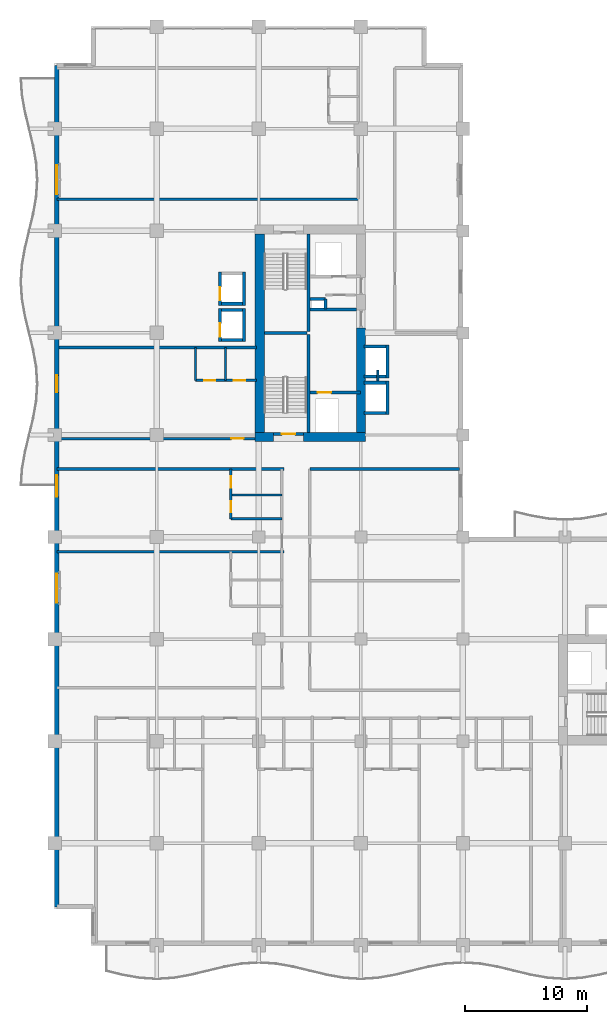
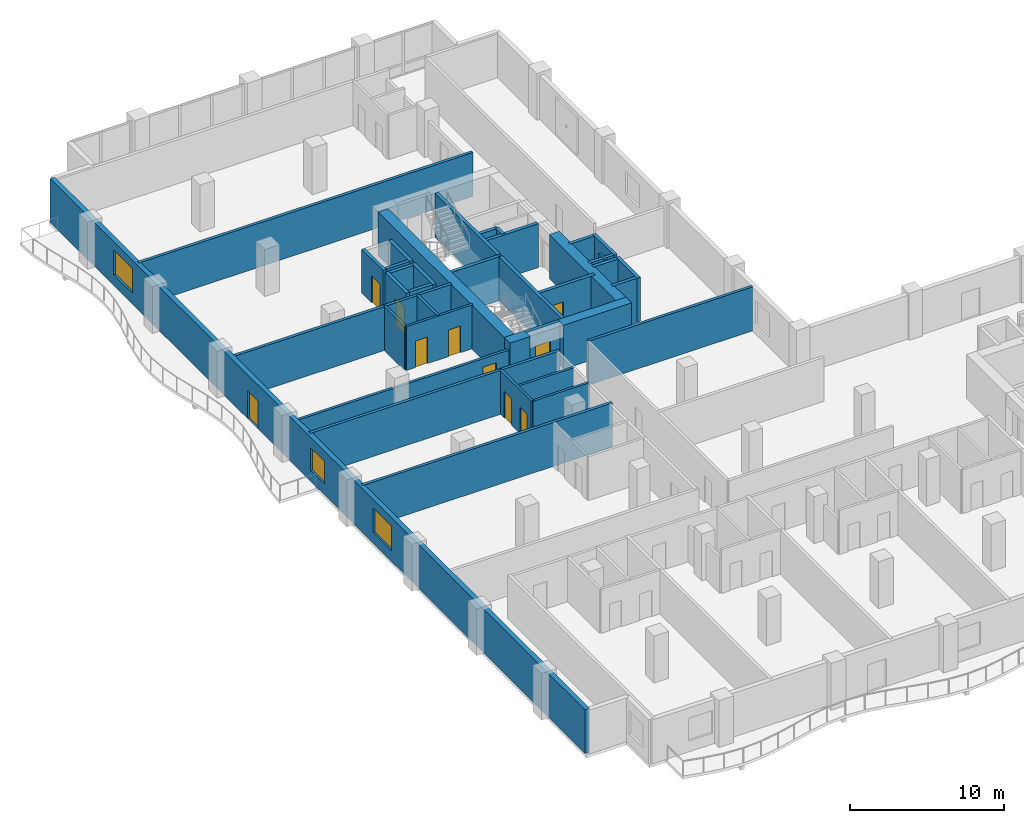
# One storey, part 10 of 20: 39 walls, 10 doors, 3 windows, 13 openings.
"""IFC4 building model written with IfcOpenShell, lengths in metres."""

import ifcopenshell
import ifcopenshell.guid

model = None  # the IFC model being written
_history = None  # IfcOwnerHistory: only IFC2X3 demands one
_inside = {}  # id of a spatial element -> (the spatial element, [elements in it])
_under = {}  # id of a project, library or spatial element -> (it, [spatial elements below it])
_declared = {}  # id of a project -> (the project, [libraries it declares])
_typed = {}  # id of a type object -> (the type object, [elements of that type])
_made_of = {}  # id of a material, layer set ... -> (it, [elements and type objects made of it])


def new_model(schema):
    """Start an empty IFC model of exactly this schema.

    Asked for "IFC4X3", IfcOpenShell would pick the latest addendum, in which some entities
    have other attributes; the version numbers below select the first issue.
    IFC2X3 requires an IfcOwnerHistory on every rooted entity: one is made here for all.
    """
    global model, _history
    if schema == "IFC4X3":
        model = ifcopenshell.file(schema_version=(4, 3, 0, 0))
    else:
        model = ifcopenshell.file(schema=schema)
    _inside.clear()
    _under.clear()
    _declared.clear()
    _typed.clear()
    _made_of.clear()
    _history = None
    if model.schema == "IFC2X3":
        org = make("IfcOrganization", Name="unknown")
        user = make(
            "IfcPersonAndOrganization",
            ThePerson=make("IfcPerson", FamilyName="unknown"),
            TheOrganization=org,
        )
        app = make(
            "IfcApplication",
            ApplicationDeveloper=org,
            Version="unknown",
            ApplicationFullName="unknown",
            ApplicationIdentifier="unknown",
        )
        _history = make(
            "IfcOwnerHistory",
            OwningUser=user,
            OwningApplication=app,
            ChangeAction="ADDED",
            CreationDate=0,
        )
    return model


def make(cls, **values):
    """One entity of the class cls with the attributes given. An attribute that is None is left unset."""
    return model.create_entity(
        cls, **{name: value for name, value in values.items() if value is not None}
    )


def rooted(cls, **values):
    """An entity with a GlobalId (a new one), such as an element, a storey or a relation."""
    return make(cls, GlobalId=ifcopenshell.guid.new(), OwnerHistory=_history, **values)


def si_unit(unit_type, name, prefix=None):
    """IfcSIUnit, for example si_unit("LENGTHUNIT", "METRE", prefix="MILLI")."""
    return make("IfcSIUnit", UnitType=unit_type, Prefix=prefix, Name=name)


def assignment(units):
    """IfcUnitAssignment: the units of a project."""
    return None if units is None else make("IfcUnitAssignment", Units=units)


def point(xyz):
    """IfcCartesianPoint."""
    return None if xyz is None else make("IfcCartesianPoint", Coordinates=xyz)


def direction(xyz):
    """IfcDirection."""
    return None if xyz is None else make("IfcDirection", DirectionRatios=xyz)


def frame(location, z_axis=None, x_axis=None):
    """IfcAxis2Placement3D, a coordinate frame: its origin and axes. An axis left out is left unset."""
    return make(
        "IfcAxis2Placement3D",
        Location=point(location),
        Axis=direction(z_axis),
        RefDirection=direction(x_axis),
    )


def frame_2d(location, x_axis=None):
    """IfcAxis2Placement2D, a coordinate frame in the plane: its origin and x axis."""
    return make(
        "IfcAxis2Placement2D", Location=point(location), RefDirection=direction(x_axis)
    )


def origin():
    """The frame at (0, 0, 0) with its axes left unset."""
    return frame((0.0, 0.0, 0.0))


def place(relative_to, where):
    """IfcLocalPlacement: puts the frame where relative to a parent placement (None: the world)."""
    return make(
        "IfcLocalPlacement", PlacementRelTo=relative_to, RelativePlacement=where
    )


def context(
    kind, dimensions, precision=None, world=None, true_north=None, identifier=None
):
    """IfcGeometricRepresentationContext, for example the 3D "Model" context."""
    return make(
        "IfcGeometricRepresentationContext",
        ContextIdentifier=identifier,
        ContextType=kind,
        CoordinateSpaceDimension=dimensions,
        Precision=precision,
        WorldCoordinateSystem=world,
        TrueNorth=true_north,
    )


def subcontext(parent, identifier, kind, view, scale=None):
    """IfcGeometricRepresentationSubContext, for example "Body" below "Model"."""
    return make(
        "IfcGeometricRepresentationSubContext",
        ContextIdentifier=identifier,
        ContextType=kind,
        ParentContext=parent,
        TargetScale=scale,
        TargetView=view,
    )


def project(units=None, contexts=None):
    """IfcProject with its units and contexts."""
    return rooted(
        "IfcProject",
        Name="project",
        RepresentationContexts=contexts,
        UnitsInContext=assignment(units),
    )


def spatial(cls, under=None, at=None, **own):
    """A site, building, storey or space (cls), placed at a placement, below another one or the project."""
    s = rooted(cls, ObjectPlacement=at, **own)
    if under is not None:
        _under.setdefault(under.id(), (under, []))[1].append(s)
    return s


def profile(cls, at=None, kind="AREA", **sizes):
    """A parametric profile (cls). Its sizes go by their IFC names, for example OverallWidth=200.0."""
    return make(cls, ProfileType=kind, Position=at, **sizes)


def rectangle(**sizes):
    """IfcRectangleProfileDef."""
    return profile("IfcRectangleProfileDef", **sizes)


def extrude(swept, where, along, depth):
    """IfcExtrudedAreaSolid: the profile swept, set in the frame where, extruded along a direction by depth."""
    return make(
        "IfcExtrudedAreaSolid",
        SweptArea=swept,
        Position=where,
        ExtrudedDirection=direction(along),
        Depth=depth,
    )


def shape(context_of_items, identifier, shape_type, items):
    """IfcShapeRepresentation: the items that make up one representation, for example the "Body"."""
    return make(
        "IfcShapeRepresentation",
        ContextOfItems=context_of_items,
        RepresentationIdentifier=identifier,
        RepresentationType=shape_type,
        Items=items,
    )


def material(Name=None, Category=None):
    """IfcMaterial."""
    return make("IfcMaterial", Name=Name, Category=Category)


def layer(
    of_material, thickness, ventilated=None, Name=None, Category=None, Priority=None
):
    """IfcMaterialLayer: one layer of a wall or slab, of a material (None: an air gap)."""
    return make(
        "IfcMaterialLayer",
        Material=of_material,
        LayerThickness=thickness,
        IsVentilated=ventilated,
        Name=Name,
        Category=Category,
        Priority=Priority,
    )


def layer_set(layers, Name=None):
    """IfcMaterialLayerSet."""
    return make("IfcMaterialLayerSet", MaterialLayers=layers, LayerSetName=Name)


def made_of(thing, what):
    """Note that an element or type object is made of a material, layer set ...; save() writes the relation."""
    if what is not None:
        _made_of.setdefault(what.id(), (what, []))[1].append(thing)
    return thing


def type_object(cls, material=None, **own):
    """A type object (cls), such as IfcWallType, which elements share."""
    return made_of(rooted(cls, **own), material)


def element(
    cls,
    number,
    at=None,
    inside=None,
    cuts=None,
    type_object=None,
    material=None,
    context=None,
    identifier="Body",
    shape_type=None,
    held_by="IfcProductDefinitionShape",
    body=None,
    shapes=None,
    **own,
):
    """One element of the class cls, such as IfcWall. Its Tag is "e" and its number.

    at: its placement. inside: the storey or other place that contains it. cuts: it is an
    opening in that element (IfcRelVoidsElement). A single representation is given by context,
    identifier, shape_type and body (its items); several are given by shapes. held_by: the class
    of the entity that holds the representations. save() writes the other relations.
    """
    e = rooted(cls, Tag="e%d" % number, ObjectPlacement=at, **own)
    if body is not None:
        shapes = [shape(context, identifier, shape_type, body)]
    if shapes is not None:
        e.Representation = make(held_by, Representations=shapes)
    if inside is not None:
        _inside.setdefault(inside.id(), (inside, []))[1].append(e)
    if cuts is not None:
        rooted(
            "IfcRelVoidsElement", RelatingBuildingElement=cuts, RelatedOpeningElement=e
        )
    if type_object is not None:
        _typed.setdefault(type_object.id(), (type_object, []))[1].append(e)
    return made_of(e, material)


def fill(opening, filler):
    """IfcRelFillsElement: the door or window that sits in an opening."""
    return rooted(
        "IfcRelFillsElement",
        RelatingOpeningElement=opening,
        RelatedBuildingElement=filler,
    )


def aggregate(whole, parts):
    """IfcRelAggregates: a whole, such as a stair, and the parts it consists of."""
    return rooted("IfcRelAggregates", RelatingObject=whole, RelatedObjects=parts)


def save(model, path):
    """Write the relations noted so far, then the file.

    IfcRelAggregates (storeys below a building ...), IfcRelContainedInSpatialStructure (elements
    in a storey), IfcRelDefinesByType, IfcRelAssociatesMaterial and IfcRelDeclares: one each for
    every whole, place, type object, material and project.
    """
    for whole, parts in _under.values():
        aggregate(whole, parts)
    for where, things in _inside.values():
        rooted(
            "IfcRelContainedInSpatialStructure",
            RelatedElements=things,
            RelatingStructure=where,
        )
    for kind, things in _typed.values():
        rooted("IfcRelDefinesByType", RelatedObjects=things, RelatingType=kind)
    for what, things in _made_of.values():
        rooted("IfcRelAssociatesMaterial", RelatedObjects=things, RelatingMaterial=what)
    for by, libraries in _declared.values():
        rooted("IfcRelDeclares", RelatingContext=by, RelatedDefinitions=libraries)
    model.write(path)


model = new_model("IFC4")

# Units and contexts
model_context = context("Model", 3, precision=1e-05, world=origin(), true_north=direction((0.0, 1.0)))
body_context = subcontext(model_context, "Body", "Model", "MODEL_VIEW")
ifc_project = project(units=[si_unit("LENGTHUNIT", "METRE"), si_unit("AREAUNIT", "SQUARE_METRE"), si_unit("VOLUMEUNIT", "CUBIC_METRE"), si_unit("PLANEANGLEUNIT", "RADIAN"), si_unit("MASSUNIT", "GRAM", prefix="KILO")], contexts=[model_context])

# Site, building, storey
site_placement = place(None, origin())
site = spatial("IfcSite", under=ifc_project, at=site_placement, CompositionType="ELEMENT")
building_placement = place(site_placement, origin())
building = spatial("IfcBuilding", under=site, at=building_placement, Name="Koriwani Terraces Tower", CompositionType="ELEMENT")
storey_placement = place(building_placement, frame((0.0, 0.0, 175.39990234375)))
storey = spatial("IfcBuildingStorey", under=building, at=storey_placement, Name="L42", CompositionType="ELEMENT", Elevation=175.39990234375)

# Walls
ifc_material_1 = material(Name="Concrete C60/75", Category="concrete")
ifc_layer_1 = layer(ifc_material_1, 0.75, Name="Concrete C60/75")
ifc_layer_set_1 = layer_set([ifc_layer_1], Name="Concrete C60/75")
wall_type_1 = type_object("IfcWallType", Name="WALL_CORE_RC_750", PredefinedType="SHEAR", material=ifc_layer_set_1)
wall_1_placement = place(storey_placement, frame((16.5, 41.824951171875, 0.0), z_axis=(0.0, 0.0, 1.0), x_axis=(1.0, 0.0, 0.0)))
element("IfcWall", 1, at=wall_1_placement, inside=storey, type_object=wall_type_1, Name="L42 West Split Core Shear Wall S1", PredefinedType="SHEAR", context=body_context, shape_type="SweptSolid", body=[
    extrude(rectangle(XDim=1.5, YDim=0.75, at=frame_2d((0.75, 0.0))), origin(), (0.0, 0.0, 1.0), 3.47021484375),
])
wall_2_placement = place(storey_placement, frame((20.5, 41.824951171875, 0.0), z_axis=(0.0, 0.0, 1.0), x_axis=(1.0, 0.0, 0.0)))
element("IfcWall", 2, at=wall_2_placement, inside=storey, type_object=wall_type_1, Name="L42 West Split Core Shear Wall S2", PredefinedType="SHEAR", context=body_context, shape_type="SweptSolid", body=[
    extrude(rectangle(XDim=5.074951171875, YDim=0.75, at=frame_2d((2.53759765625, 0.0))), origin(), (0.0, 0.0, 1.0), 3.47021484375),
])
wall_3_placement = place(storey_placement, frame((16.875, 42.199951171875, 0.0), z_axis=(0.0, 0.0, 1.0), x_axis=(0.0, 1.0, 0.0)))
element("IfcWall", 3, at=wall_3_placement, inside=storey, type_object=wall_type_1, Name="L42 West Split Core Shear Wall W1", PredefinedType="SHEAR", context=body_context, shape_type="SweptSolid", body=[
    extrude(rectangle(XDim=16.35009765625, YDim=0.75, at=frame_2d((8.175048828125, 0.0))), origin(), (0.0, 0.0, 1.0), 3.47021484375),
])
wall_4_placement = place(storey_placement, frame((25.199951171875, 42.199951171875, 0.0), z_axis=(0.0, 0.0, 1.0), x_axis=(0.0, 1.0, 0.0)))
element("IfcWall", 4, at=wall_4_placement, inside=storey, type_object=wall_type_1, Name="L42 West Split Core Shear Wall E1", PredefinedType="SHEAR", context=body_context, shape_type="SweptSolid", body=[
    extrude(rectangle(XDim=8.60009765625, YDim=0.75, at=frame_2d((4.300048828125, 0.0))), origin(), (0.0, 0.0, 1.0), 3.47021484375),
])

# Wall, opening, door
ifc_material_2 = material(Name="Autoclaved Cellular Concrete Blockwork", Category="masonry")
ifc_layer_2 = layer(ifc_material_2, 0.199951171875, Name="Autoclaved Cellular Concrete Blockwork")
ifc_layer_set_2 = layer_set([ifc_layer_2], Name="Autoclaved Cellular Concrete Blockwork")
wall_type_2 = type_object("IfcWallType", Name="WALL_CORRIDOR_200", PredefinedType="PARTITIONING", material=ifc_layer_set_2)
wall_5_placement = place(storey_placement, frame((0.35009765625, 41.699951171875, 0.0), z_axis=(0.0, 0.0, 1.0), x_axis=(1.0, 0.0, 0.0)))
wall_5 = element("IfcWall", 5, at=wall_5_placement, inside=storey, type_object=wall_type_2, Name="L42 Interior Wall WREC-WS-L42", PredefinedType="PARTITIONING", context=body_context, shape_type="SweptSolid", body=[
    extrude(rectangle(XDim=16.25, YDim=0.199951171875, at=frame_2d((8.125, 0.0))), origin(), (0.0, 0.0, 1.0), 2.820068359375),
])
opening_1_placement = place(wall_5_placement, frame((14.199951171875, 0.0, 0.0)))
opening_1 = element("IfcOpeningElement", 6, at=opening_1_placement, cuts=wall_5, Name="Opening D-05", PredefinedType="OPENING", context=body_context, shape_type="SweptSolid", body=[
    extrude(rectangle(XDim=1.0, YDim=2.14990234375, at=frame_2d((0.5, 1.074951171875))), frame((0.0, 0.10986328125, 0.0), z_axis=(0.0, -1.0, 0.0), x_axis=(1.0, 0.0, 0.0)), (0.0, 0.0, 1.0), 0.219970703125),
])
ifc_material_3 = material(Name="Architectural Oak Fire Door", Category="wood")
door_type_1 = type_object("IfcDoorType", Name="DOOR_SUITE_ENTRY_1000X2150", OperationType="NOTDEFINED", PredefinedType="DOOR", material=ifc_material_3)
door_1_placement = place(opening_1_placement, origin())
door_1 = element("IfcDoor", 7, at=door_1_placement, inside=storey, type_object=door_type_1, Name="L42 Reclaimed West Suite Door", OperationType="SINGLE_SWING_RIGHT", OverallHeight=2.14990234375, OverallWidth=1.0, PredefinedType="DOOR", context=body_context, shape_type="SweptSolid", body=[
    extrude(rectangle(XDim=1.0, YDim=2.14990234375, at=frame_2d((0.5, 1.074951171875))), frame((0.0, 0.02490234375, 0.0), z_axis=(0.0, -1.0, 0.0), x_axis=(1.0, 0.0, 0.0)), (0.0, 0.0, 1.0), 0.050048828125),
])
fill(opening_1, door_1)

# Walls
ifc_layer_3 = layer(ifc_material_2, 0.219970703125, Name="Autoclaved Cellular Concrete Blockwork")
ifc_layer_set_3 = layer_set([ifc_layer_3], Name="Autoclaved Cellular Concrete Blockwork")
wall_type_3 = type_object("IfcWallType", Name="WALL_DEMISING_220", PredefinedType="PARTITIONING", material=ifc_layer_set_3)
wall_6_placement = place(storey_placement, frame((0.35009765625, 49.199951171875, 0.0), z_axis=(0.0, 0.0, 1.0), x_axis=(1.0, 0.0, 0.0)))
element("IfcWall", 8, at=wall_6_placement, inside=storey, type_object=wall_type_3, Name="L42 Interior Wall WREC-WN-L42", PredefinedType="PARTITIONING", context=body_context, shape_type="SweptSolid", body=[
    extrude(rectangle(XDim=16.25, YDim=0.219970703125, at=frame_2d((8.125, 0.0))), origin(), (0.0, 0.0, 1.0), 3.47021484375),
])
wall_7_placement = place(storey_placement, frame((21.0, 39.199951171875, 0.0), z_axis=(0.0, 0.0, 1.0), x_axis=(1.0, 0.0, 0.0)))
element("IfcWall", 9, at=wall_7_placement, inside=storey, type_object=wall_type_3, Name="L42 Interior Wall WIC2-N-L42", PredefinedType="PARTITIONING", context=body_context, shape_type="SweptSolid", body=[
    extrude(rectangle(XDim=12.300048828125, YDim=0.219970703125, at=frame_2d((6.14990234375, 0.0))), origin(), (0.0, 0.0, 1.0), 3.47021484375),
])
for number, where, z_axis, x_axis, name in (
    (10, (0.199951171875, 32.39990234375, 0.0), (0.0, 0.0, 1.0), (1.0, 0.0, 0.0), "L42 Interior Wall WRDEM-L42-NW-1"),
    (11, (0.199951171875, 39.199951171875, 0.0), (0.0, 0.0, 1.0), (1.0, 0.0, 0.0), "L42 Interior Wall WRDEME-L42-NW"),
):
    element("IfcWall", number, at=place(storey_placement, frame(where, z_axis=z_axis, x_axis=x_axis)), inside=storey, type_object=wall_type_3, Name=name, PredefinedType="PARTITIONING", context=body_context, shape_type="SweptSolid", body=[
        extrude(rectangle(XDim=18.679931640625, YDim=0.219970703125, at=frame_2d((9.33984375, 0.0))), origin(), (0.0, 0.0, 1.0), 3.47021484375),
    ])
wall_8_placement = place(storey_placement, frame((0.199951171875, 61.39990234375, 0.0), z_axis=(0.0, 0.0, 1.0), x_axis=(1.0, 0.0, 0.0)))
element("IfcWall", 12, at=wall_8_placement, inside=storey, type_object=wall_type_3, Name="L42 Interior Wall WRDEM-L42-NE-0", PredefinedType="PARTITIONING", context=body_context, shape_type="SweptSolid", body=[
    extrude(rectangle(XDim=24.97998046875, YDim=0.219970703125, at=frame_2d((12.489990234375, 0.0))), origin(), (0.0, 0.0, 1.0), 3.47021484375),
])

# Wall, openings, door, windows
ifc_material_4 = material(Name="Concrete C50/60", Category="concrete")
ifc_layer_4 = layer(ifc_material_4, 0.35009765625, Name="Concrete C50/60")
ifc_layer_set_4 = layer_set([ifc_layer_4], Name="Concrete C50/60")
wall_type_4 = type_object("IfcWallType", Name="WALL_EXT_BRUTALIST_350", PredefinedType="STANDARD", material=ifc_layer_set_4)
wall_9_placement = place(storey_placement, frame((0.175048828125, 3.175048828125, 0.0), z_axis=(0.0, 0.0, 1.0), x_axis=(0.0, 1.0, 0.0)))
wall_9 = element("IfcWall", 13, at=wall_9_placement, inside=storey, type_object=wall_type_4, Name="L42 Fair-Faced Brutalist Exterior Wall (W)", PredefinedType="STANDARD", context=body_context, shape_type="SweptSolid", body=[
    extrude(rectangle(XDim=69.25, YDim=0.35009765625, at=frame_2d((34.625, 0.0))), origin(), (0.0, 0.0, 1.0), 3.47021484375),
])
opening_2_placement = place(wall_9_placement, frame((42.324951171875, 0.0, 0.0)))
opening_2 = element("IfcOpeningElement", 14, at=opening_2_placement, cuts=wall_9, Name="Opening D-09", PredefinedType="OPENING", context=body_context, shape_type="SweptSolid", body=[
    extrude(rectangle(XDim=1.39990234375, YDim=2.199951171875, at=frame_2d((0.699951171875, 1.10009765625))), frame((0.0, 0.18505859375, 0.0), z_axis=(0.0, -1.0, 0.0), x_axis=(1.0, 0.0, 0.0)), (0.0, 0.0, 1.0), 0.3701171875),
])
opening_3_placement = place(wall_9_placement, frame((25.02490234375, 0.0, 0.85009765625)))
opening_3 = element("IfcOpeningElement", 15, at=opening_3_placement, cuts=wall_9, Name="Opening W-03", PredefinedType="OPENING", context=body_context, shape_type="SweptSolid", body=[
    extrude(rectangle(XDim=2.39990234375, YDim=1.949951171875, at=frame_2d((1.199951171875, 0.97509765625))), frame((0.0, 0.18505859375, 0.0), z_axis=(0.0, -1.0, 0.0), x_axis=(1.0, 0.0, 0.0)), (0.0, 0.0, 1.0), 0.3701171875),
])
opening_4_placement = place(wall_9_placement, frame((33.72509765625, 0.0, 0.85009765625)))
opening_4 = element("IfcOpeningElement", 16, at=opening_4_placement, cuts=wall_9, Name="Opening W-04", PredefinedType="OPENING", context=body_context, shape_type="SweptSolid", body=[
    extrude(rectangle(XDim=1.800048828125, YDim=1.800048828125, at=frame_2d((0.89990234375, 0.89990234375))), frame((0.0, 0.18505859375, 0.0), z_axis=(0.0, -1.0, 0.0), x_axis=(1.0, 0.0, 0.0)), (0.0, 0.0, 1.0), 0.3701171875),
])
opening_5_placement = place(wall_9_placement, frame((58.625, 0.0, 0.85009765625)))
opening_5 = element("IfcOpeningElement", 17, at=opening_5_placement, cuts=wall_9, Name="Opening W-03", PredefinedType="OPENING", context=body_context, shape_type="SweptSolid", body=[
    extrude(rectangle(XDim=2.39990234375, YDim=1.949951171875, at=frame_2d((1.199951171875, 0.97509765625))), frame((0.0, 0.18505859375, 0.0), z_axis=(0.0, -1.0, 0.0), x_axis=(1.0, 0.0, 0.0)), (0.0, 0.0, 1.0), 0.3701171875),
])
ifc_material_5 = material(Name="Anodised Bronze Aluminium", Category="aluminium")
door_type_2 = type_object("IfcDoorType", Name="DOOR_BALCONY_GLAZED_1400X2200", OperationType="NOTDEFINED", PredefinedType="DOOR", material=ifc_material_5)
door_2_placement = place(opening_2_placement, origin())
door_2 = element("IfcDoor", 18, at=door_2_placement, inside=storey, type_object=door_type_2, Name="L42 West Balcony Glazed Door", OperationType="SINGLE_SWING_LEFT", OverallHeight=2.199951171875, OverallWidth=1.39990234375, PredefinedType="DOOR", context=body_context, shape_type="SweptSolid", body=[
    extrude(rectangle(XDim=1.39990234375, YDim=2.199951171875, at=frame_2d((0.699951171875, 1.10009765625))), frame((0.0, 0.02490234375, 0.0), z_axis=(0.0, -1.0, 0.0), x_axis=(1.0, 0.0, 0.0)), (0.0, 0.0, 1.0), 0.050048828125),
])
fill(opening_2, door_2)
ifc_material_6 = material(Name="Tempered Laminated Low-E Glass", Category="glass")
window_type_1 = type_object("IfcWindowType", Name="WIN_RES_BED_1800X1800", PartitioningType="DOUBLE_PANEL_VERTICAL", PredefinedType="WINDOW", material=ifc_material_6)
window_1_placement = place(opening_4_placement, origin())
window_1 = element("IfcWindow", 19, at=window_1_placement, inside=storey, type_object=window_type_1, Name="L42 Exterior Window (W-12)", OverallHeight=1.800048828125, OverallWidth=1.800048828125, PartitioningType="SINGLE_PANEL", PredefinedType="WINDOW", context=body_context, shape_type="SweptSolid", body=[
    extrude(rectangle(XDim=1.800048828125, YDim=1.800048828125, at=frame_2d((0.89990234375, 0.89990234375))), frame((0.0, 0.030029296875, 0.0), z_axis=(0.0, -1.0, 0.0), x_axis=(1.0, 0.0, 0.0)), (0.0, 0.0, 1.0), 0.06005859375),
])
fill(opening_4, window_1)
window_type_2 = type_object("IfcWindowType", Name="WIN_RES_LIVING_2400X1950", PartitioningType="DOUBLE_PANEL_VERTICAL", PredefinedType="WINDOW", material=ifc_material_6)
window_2_placement = place(opening_3_placement, origin())
window_2 = element("IfcWindow", 20, at=window_2_placement, inside=storey, type_object=window_type_2, Name="L42 Exterior Window (W-9)", OverallHeight=1.949951171875, OverallWidth=2.39990234375, PartitioningType="SINGLE_PANEL", PredefinedType="WINDOW", context=body_context, shape_type="SweptSolid", body=[
    extrude(rectangle(XDim=2.39990234375, YDim=1.949951171875, at=frame_2d((1.199951171875, 0.97509765625))), frame((0.0, 0.030029296875, 0.0), z_axis=(0.0, -1.0, 0.0), x_axis=(1.0, 0.0, 0.0)), (0.0, 0.0, 1.0), 0.06005859375),
])
fill(opening_3, window_2)
window_3_placement = place(opening_5_placement, origin())
window_3 = element("IfcWindow", 21, at=window_3_placement, inside=storey, type_object=window_type_2, Name="L42 Exterior Window (W-21)", OverallHeight=1.949951171875, OverallWidth=2.39990234375, PartitioningType="SINGLE_PANEL", PredefinedType="WINDOW", context=body_context, shape_type="SweptSolid", body=[
    extrude(rectangle(XDim=2.39990234375, YDim=1.949951171875, at=frame_2d((1.199951171875, 0.97509765625))), frame((0.0, 0.030029296875, 0.0), z_axis=(0.0, -1.0, 0.0), x_axis=(1.0, 0.0, 0.0)), (0.0, 0.0, 1.0), 0.06005859375),
])
fill(opening_5, window_3)

# Wall, openings, doors
ifc_material_7 = material(Name="Fire-Rated Acoustic Gypsum Partition", Category="masonry")
ifc_layer_5 = layer(ifc_material_7, 0.179931640625, Name="Fire-Rated Acoustic Gypsum Partition")
ifc_layer_set_5 = layer_set([ifc_layer_5], Name="Fire-Rated Acoustic Gypsum Partition")
wall_type_5 = type_object("IfcWallType", Name="WALL_PLUMBING_180", PredefinedType="PLUMBINGWALL", material=ifc_layer_set_5)
wall_10_placement = place(storey_placement, frame((11.60009765625, 46.5, 0.0), z_axis=(0.0, 0.0, 1.0), x_axis=(1.0, 0.0, 0.0)))
wall_10 = element("IfcWall", 22, at=wall_10_placement, inside=storey, type_object=wall_type_5, Name="L42 Interior Wall WREC-WBB-L42", PredefinedType="PLUMBINGWALL", context=body_context, shape_type="SweptSolid", body=[
    extrude(rectangle(XDim=5.0, YDim=0.179931640625, at=frame_2d((2.5, 0.0))), origin(), (0.0, 0.0, 1.0), 3.47021484375),
])
opening_6_placement = place(wall_10_placement, frame((0.699951171875, 0.0, 0.0)))
opening_6 = element("IfcOpeningElement", 23, at=opening_6_placement, cuts=wall_10, Name="Opening D-07", PredefinedType="OPENING", context=body_context, shape_type="SweptSolid", body=[
    extrude(rectangle(XDim=0.89990234375, YDim=2.10009765625, at=frame_2d((0.449951171875, 1.050048828125))), frame((0.0, 0.10009765625, 0.0), z_axis=(0.0, -1.0, 0.0), x_axis=(1.0, 0.0, 0.0)), (0.0, 0.0, 1.0), 0.199951171875),
])
opening_7_placement = place(wall_10_placement, frame((3.14990234375, 0.0, 0.0)))
opening_7 = element("IfcOpeningElement", 24, at=opening_7_placement, cuts=wall_10, Name="Opening D-06", PredefinedType="OPENING", context=body_context, shape_type="SweptSolid", body=[
    extrude(rectangle(XDim=0.919921875, YDim=2.10009765625, at=frame_2d((0.4599609375, 1.050048828125))), frame((0.0, 0.10009765625, 0.0), z_axis=(0.0, -1.0, 0.0), x_axis=(1.0, 0.0, 0.0)), (0.0, 0.0, 1.0), 0.199951171875),
])
door_type_3 = type_object("IfcDoorType", Name="DOOR_BATH_INT_900X2100", OperationType="NOTDEFINED", PredefinedType="DOOR", material=ifc_material_3)
door_3_placement = place(opening_6_placement, origin())
door_3 = element("IfcDoor", 25, at=door_3_placement, inside=storey, type_object=door_type_3, Name="Apartment 42RW Bathroom Door", OperationType="SINGLE_SWING_LEFT", OverallHeight=2.10009765625, OverallWidth=0.89990234375, PredefinedType="DOOR", context=body_context, shape_type="SweptSolid", body=[
    extrude(rectangle(XDim=0.89990234375, YDim=2.10009765625, at=frame_2d((0.449951171875, 1.050048828125))), frame((0.0, 0.02490234375, 0.0), z_axis=(0.0, -1.0, 0.0), x_axis=(1.0, 0.0, 0.0)), (0.0, 0.0, 1.0), 0.050048828125),
])
fill(opening_6, door_3)
door_type_4 = type_object("IfcDoorType", Name="DOOR_ROOM_INT_920X2100", OperationType="NOTDEFINED", PredefinedType="DOOR", material=ifc_material_3)
door_4_placement = place(opening_7_placement, origin())
door_4 = element("IfcDoor", 26, at=door_4_placement, inside=storey, type_object=door_type_4, Name="Apartment 42RW Kitchen Door", OperationType="SINGLE_SWING_RIGHT", OverallHeight=2.10009765625, OverallWidth=0.919921875, PredefinedType="DOOR", context=body_context, shape_type="SweptSolid", body=[
    extrude(rectangle(XDim=0.919921875, YDim=2.10009765625, at=frame_2d((0.4599609375, 1.050048828125))), frame((0.0, 0.02490234375, 0.0), z_axis=(0.0, -1.0, 0.0), x_axis=(1.0, 0.0, 0.0)), (0.0, 0.0, 1.0), 0.050048828125),
])
fill(opening_7, door_4)

# Walls
for number, where, z_axis, x_axis, name in (
    (27, (11.60009765625, 46.5, 0.0), (0.0, 0.0, 1.0), (0.0, 1.0, 0.0), "L42 Interior Wall WREC-WB2-L42"),
    (28, (14.050048828125, 46.5, 0.0), (0.0, 0.0, 1.0), (0.0, 1.0, 0.0), "L42 Interior Wall WREC-WB3-L42"),
):
    element("IfcWall", number, at=place(storey_placement, frame(where, z_axis=z_axis, x_axis=x_axis)), inside=storey, type_object=wall_type_5, Name=name, PredefinedType="PLUMBINGWALL", context=body_context, shape_type="SweptSolid", body=[
        extrude(rectangle(XDim=2.699951171875, YDim=0.179931640625, at=frame_2d((1.35009765625, 0.0))), origin(), (0.0, 0.0, 1.0), 3.47021484375),
    ])

# Wall, openings, doors
wall_11_placement = place(storey_placement, frame((14.5, 35.10009765625, 0.0), z_axis=(0.0, 0.0, 1.0), x_axis=(0.0, 1.0, 0.0)))
wall_11 = element("IfcWall", 29, at=wall_11_placement, inside=storey, type_object=wall_type_5, Name="L42 Interior Wall WRSVC-L42-NW-1", PredefinedType="PLUMBINGWALL", context=body_context, shape_type="SweptSolid", body=[
    extrude(rectangle(XDim=4.099853515625, YDim=0.179931640625, at=frame_2d((2.0498046875, 0.0))), origin(), (0.0, 0.0, 1.0), 3.47021484375),
])
opening_8_placement = place(wall_11_placement, frame((0.533935546875, 0.0, 0.0)))
opening_8 = element("IfcOpeningElement", 30, at=opening_8_placement, cuts=wall_11, Name="Opening D-07", PredefinedType="OPENING", context=body_context, shape_type="SweptSolid", body=[
    extrude(rectangle(XDim=0.89990234375, YDim=2.10009765625, at=frame_2d((0.449951171875, 1.050048828125))), frame((0.0, 0.10009765625, 0.0), z_axis=(0.0, -1.0, 0.0), x_axis=(1.0, 0.0, 0.0)), (0.0, 0.0, 1.0), 0.199951171875),
])
opening_9_placement = place(wall_11_placement, frame((2.573974609375, 0.0, 0.0)))
opening_9 = element("IfcOpeningElement", 31, at=opening_9_placement, cuts=wall_11, Name="Opening D-06", PredefinedType="OPENING", context=body_context, shape_type="SweptSolid", body=[
    extrude(rectangle(XDim=0.919921875, YDim=2.10009765625, at=frame_2d((0.4599609375, 1.050048828125))), frame((0.0, 0.10009765625, 0.0), z_axis=(0.0, -1.0, 0.0), x_axis=(1.0, 0.0, 0.0)), (0.0, 0.0, 1.0), 0.199951171875),
])
door_5_placement = place(opening_8_placement, origin())
door_5 = element("IfcDoor", 32, at=door_5_placement, inside=storey, type_object=door_type_3, Name="Apartment 42NW2 Bathroom Door", OperationType="SINGLE_SWING_RIGHT", OverallHeight=2.10009765625, OverallWidth=0.89990234375, PredefinedType="DOOR", context=body_context, shape_type="SweptSolid", body=[
    extrude(rectangle(XDim=0.89990234375, YDim=2.10009765625, at=frame_2d((0.449951171875, 1.050048828125))), frame((0.0, 0.02490234375, 0.0), z_axis=(0.0, -1.0, 0.0), x_axis=(1.0, 0.0, 0.0)), (0.0, 0.0, 1.0), 0.050048828125),
])
fill(opening_8, door_5)
door_6_placement = place(opening_9_placement, origin())
door_6 = element("IfcDoor", 33, at=door_6_placement, inside=storey, type_object=door_type_4, Name="Apartment 42NW2 Kitchen Door", OperationType="SINGLE_SWING_LEFT", OverallHeight=2.10009765625, OverallWidth=0.919921875, PredefinedType="DOOR", context=body_context, shape_type="SweptSolid", body=[
    extrude(rectangle(XDim=0.919921875, YDim=2.10009765625, at=frame_2d((0.4599609375, 1.050048828125))), frame((0.0, 0.02490234375, 0.0), z_axis=(0.0, -1.0, 0.0), x_axis=(1.0, 0.0, 0.0)), (0.0, 0.0, 1.0), 0.050048828125),
])
fill(opening_9, door_6)

# Walls
for number, where, z_axis, x_axis, name in (
    (34, (14.5, 35.10009765625, 0.0), (0.0, 0.0, 1.0), (1.0, 0.0, 0.0), "L42 Interior Wall WRSVCS-L42-NW-1"),
    (35, (14.5, 37.068115234375, 0.0), (0.0, 0.0, 1.0), (1.0, 0.0, 0.0), "L42 Interior Wall WRSVCM-L42-NW-1"),
):
    element("IfcWall", number, at=place(storey_placement, frame(where, z_axis=z_axis, x_axis=x_axis)), inside=storey, type_object=wall_type_5, Name=name, PredefinedType="PLUMBINGWALL", context=body_context, shape_type="SweptSolid", body=[
        extrude(rectangle(XDim=4.199951171875, YDim=0.179931640625, at=frame_2d((2.10009765625, 0.0))), origin(), (0.0, 0.0, 1.0), 3.47021484375),
    ])
ifc_material_8 = material(Name="Concrete C40/50", Category="concrete")
ifc_layer_6 = layer(ifc_material_8, 0.25, Name="Concrete C40/50")
ifc_layer_set_6 = layer_set([ifc_layer_6], Name="Concrete C40/50")
wall_type_6 = type_object("IfcWallType", Name="WALL_SHAFT_RATED_250", PredefinedType="SOLIDWALL", material=ifc_layer_set_6)
for number, where, z_axis, x_axis, name in (
    (36, (20.875, 42.199951171875, 0.0), (0.0, 0.0, 1.0), (0.0, 1.0, 0.0), "L42 West Split Core Web Wall MID1"),
    (37, (20.875, 50.5, 0.0), (0.0, 0.0, 1.0), (0.0, 1.0, 0.0), "L42 West Split Core Web Wall MID2"),
):
    element("IfcWall", number, at=place(storey_placement, frame(where, z_axis=z_axis, x_axis=x_axis)), inside=storey, type_object=wall_type_6, Name=name, PredefinedType="SOLIDWALL", context=body_context, shape_type="SweptSolid", body=[
        extrude(rectangle(XDim=8.050048828125, YDim=0.25, at=frame_2d((4.02490234375, 0.0))), origin(), (0.0, 0.0, 1.0), 3.47021484375),
    ])
wall_12_placement = place(storey_placement, frame((17.25, 50.375, 0.0), z_axis=(0.0, 0.0, 1.0), x_axis=(1.0, 0.0, 0.0)))
element("IfcWall", 38, at=wall_12_placement, inside=storey, type_object=wall_type_6, Name="L42 West Split Core Stair Dividing Wall", PredefinedType="SOLIDWALL", context=body_context, shape_type="SweptSolid", body=[
    extrude(rectangle(XDim=3.5, YDim=0.25, at=frame_2d((1.75, 0.0))), origin(), (0.0, 0.0, 1.0), 3.47021484375),
])

# Wall, opening, door
wall_13_placement = place(storey_placement, frame((18.0, 42.074951171875, 0.0), z_axis=(0.0, 0.0, 1.0), x_axis=(1.0, 0.0, 0.0)))
wall_13 = element("IfcWall", 39, at=wall_13_placement, inside=storey, type_object=wall_type_6, Name="L42 Interior Wall WIN-CW-L42-STS", PredefinedType="SOLIDWALL", context=body_context, shape_type="SweptSolid", body=[
    extrude(rectangle(XDim=2.5, YDim=0.25, at=frame_2d((1.25, 0.0))), origin(), (0.0, 0.0, 1.0), 3.47021484375),
])
opening_10_placement = place(wall_13_placement, frame((0.699951171875, 0.0, 0.0)))
opening_10 = element("IfcOpeningElement", 40, at=opening_10_placement, cuts=wall_13, Name="Opening D-03", PredefinedType="OPENING", context=body_context, shape_type="SweptSolid", body=[
    extrude(rectangle(XDim=1.10009765625, YDim=2.14990234375, at=frame_2d((0.550048828125, 1.074951171875))), frame((0.0, 0.135009765625, 0.0), z_axis=(0.0, -1.0, 0.0), x_axis=(1.0, 0.0, 0.0)), (0.0, 0.0, 1.0), 0.27001953125),
])
ifc_material_9 = material(Name="Steel ASTM A572 Grade 50", Category="steel")
door_type_5 = type_object("IfcDoorType", Name="DOOR_STAIR_FIRE_1100X2150", OperationType="NOTDEFINED", PredefinedType="DOOR", material=ifc_material_9)
door_7_placement = place(opening_10_placement, origin())
door_7 = element("IfcDoor", 41, at=door_7_placement, inside=storey, type_object=door_type_5, Name="L42 Exit Stair ST-W1 Door", OperationType="SINGLE_SWING_RIGHT", OverallHeight=2.14990234375, OverallWidth=1.10009765625, PredefinedType="DOOR", context=body_context, shape_type="SweptSolid", body=[
    extrude(rectangle(XDim=1.10009765625, YDim=2.14990234375, at=frame_2d((0.550048828125, 1.074951171875))), frame((0.0, 0.02490234375, 0.0), z_axis=(0.0, -1.0, 0.0), x_axis=(1.0, 0.0, 0.0)), (0.0, 0.0, 1.0), 0.050048828125),
])
fill(opening_10, door_7)

wall_14_placement = place(storey_placement, frame((21.0, 45.5, 0.0), z_axis=(0.0, 0.0, 1.0), x_axis=(1.0, 0.0, 0.0)))
wall_14 = element("IfcWall", 42, at=wall_14_placement, inside=storey, type_object=wall_type_6, Name="L42 Interior Wall WIN-CW-L42-FE", PredefinedType="SOLIDWALL", context=body_context, shape_type="SweptSolid", body=[
    extrude(rectangle(XDim=4.14990234375, YDim=0.25, at=frame_2d((2.074951171875, 0.0))), origin(), (0.0, 0.0, 1.0), 3.47021484375),
])
opening_11_placement = place(wall_14_placement, frame((0.64990234375, 0.0, 0.0)))
opening_11 = element("IfcOpeningElement", 43, at=opening_11_placement, cuts=wall_14, Name="Opening LD-01", PredefinedType="OPENING", context=body_context, shape_type="SweptSolid", body=[
    extrude(rectangle(XDim=1.10009765625, YDim=2.14990234375, at=frame_2d((0.550048828125, 1.074951171875))), frame((0.0, 0.135009765625, 0.0), z_axis=(0.0, -1.0, 0.0), x_axis=(1.0, 0.0, 0.0)), (0.0, 0.0, 1.0), 0.27001953125),
])
door_type_6 = type_object("IfcDoorType", Name="DOOR_LIFT_LANDING_1100X2200", OperationType="NOTDEFINED", PredefinedType="DOOR", material=ifc_material_9)
door_8_placement = place(opening_11_placement, origin())
door_8 = element("IfcDoor", 44, at=door_8_placement, inside=storey, type_object=door_type_6, Name="L42 Firefighting Lift FE-01 Landing Door", OperationType="SLIDING_TO_LEFT", OverallHeight=2.14990234375, OverallWidth=1.10009765625, PredefinedType="DOOR", context=body_context, shape_type="SweptSolid", body=[
    extrude(rectangle(XDim=1.10009765625, YDim=2.14990234375, at=frame_2d((0.550048828125, 1.074951171875))), frame((0.0, 0.02490234375, 0.0), z_axis=(0.0, -1.0, 0.0), x_axis=(1.0, 0.0, 0.0)), (0.0, 0.0, 1.0), 0.050048828125),
])
fill(opening_11, door_8)

# Walls
wall_15_placement = place(storey_placement, frame((21.0, 52.340087890625, 0.0), z_axis=(0.0, 0.0, 1.0), x_axis=(1.0, 0.0, 0.0)))
element("IfcWall", 45, at=wall_15_placement, inside=storey, type_object=wall_type_6, Name="L42 Interior Wall WIN-CW-L42-FFN", PredefinedType="SOLIDWALL", context=body_context, shape_type="SweptSolid", body=[
    extrude(rectangle(XDim=3.824951171875, YDim=0.25, at=frame_2d((1.91259765625, 0.0))), origin(), (0.0, 0.0, 1.0), 3.47021484375),
])
wall_16_placement = place(storey_placement, frame((21.0, 53.199951171875, 0.0), z_axis=(0.0, 0.0, 1.0), x_axis=(1.0, 0.0, 0.0)))
element("IfcWall", 46, at=wall_16_placement, inside=storey, type_object=wall_type_6, Name="L42 Interior Wall WIN-CW-L42-RS1", PredefinedType="SOLIDWALL", context=body_context, shape_type="SweptSolid", body=[
    extrude(rectangle(XDim=1.300048828125, YDim=0.25, at=frame_2d((0.64990234375, 0.0))), origin(), (0.0, 0.0, 1.0), 3.47021484375),
])
wall_17_placement = place(storey_placement, frame((22.300048828125, 52.360107421875, 0.0), z_axis=(0.0, 0.0, 1.0), x_axis=(0.0, 1.0, 0.0)))
element("IfcWall", 47, at=wall_17_placement, inside=storey, type_object=wall_type_6, Name="L42 Interior Wall WIN-CW-L42-RS2", PredefinedType="SOLIDWALL", context=body_context, shape_type="SweptSolid", body=[
    extrude(rectangle(XDim=0.83984375, YDim=0.25, at=frame_2d((0.419921875, 0.0))), origin(), (0.0, 0.0, 1.0), 3.47021484375),
])

# Wall, opening, door
wall_18_placement = place(storey_placement, frame((13.60009765625, 49.675048828125, 0.0), z_axis=(0.0, 0.0, 1.0), x_axis=(0.0, 1.0, 0.0)))
wall_18 = element("IfcWall", 48, at=wall_18_placement, inside=storey, type_object=wall_type_6, Name="L42 Interior Wall WIN-LF-PE-M1-L42-F", PredefinedType="SOLIDWALL", context=body_context, shape_type="SweptSolid", body=[
    extrude(rectangle(XDim=2.75, YDim=0.25, at=frame_2d((1.375, 0.0))), origin(), (0.0, 0.0, 1.0), 3.47021484375),
])
opening_12_placement = place(wall_18_placement, frame((0.39990234375, 0.0, 0.0)))
opening_12 = element("IfcOpeningElement", 49, at=opening_12_placement, cuts=wall_18, Name="Opening LD-01", PredefinedType="OPENING", context=body_context, shape_type="SweptSolid", body=[
    extrude(rectangle(XDim=1.10009765625, YDim=2.14990234375, at=frame_2d((0.550048828125, 1.074951171875))), frame((0.0, 0.135009765625, 0.0), z_axis=(0.0, -1.0, 0.0), x_axis=(1.0, 0.0, 0.0)), (0.0, 0.0, 1.0), 0.27001953125),
])
door_9_placement = place(opening_12_placement, origin())
door_9 = element("IfcDoor", 50, at=door_9_placement, inside=storey, type_object=door_type_6, Name="L42 Passenger Lift PE-M1 Landing Door", OperationType="SLIDING_TO_LEFT", OverallHeight=2.14990234375, OverallWidth=1.10009765625, PredefinedType="DOOR", context=body_context, shape_type="SweptSolid", body=[
    extrude(rectangle(XDim=1.10009765625, YDim=2.14990234375, at=frame_2d((0.550048828125, 1.074951171875))), frame((0.0, 0.02490234375, 0.0), z_axis=(0.0, -1.0, 0.0), x_axis=(1.0, 0.0, 0.0)), (0.0, 0.0, 1.0), 0.050048828125),
])
fill(opening_12, door_9)

# Walls
wall_19_placement = place(storey_placement, frame((15.60009765625, 49.675048828125, 0.0), z_axis=(0.0, 0.0, 1.0), x_axis=(0.0, 1.0, 0.0)))
element("IfcWall", 51, at=wall_19_placement, inside=storey, type_object=wall_type_6, Name="L42 Interior Wall WIN-LF-PE-M1-L42-B", PredefinedType="SOLIDWALL", context=body_context, shape_type="SweptSolid", body=[
    extrude(rectangle(XDim=2.75, YDim=0.25, at=frame_2d((1.375, 0.0))), origin(), (0.0, 0.0, 1.0), 3.47021484375),
])
for number, where, z_axis, x_axis, name in (
    (52, (13.72509765625, 49.800048828125, 0.0), (0.0, 0.0, 1.0), (1.0, 0.0, 0.0), "L42 Interior Wall WIN-LF-PE-M1-L42-S"),
    (53, (13.72509765625, 52.300048828125, 0.0), (0.0, 0.0, 1.0), (1.0, 0.0, 0.0), "L42 Interior Wall WIN-LF-PE-M1-L42-N"),
):
    element("IfcWall", number, at=place(storey_placement, frame(where, z_axis=z_axis, x_axis=x_axis)), inside=storey, type_object=wall_type_6, Name=name, PredefinedType="SOLIDWALL", context=body_context, shape_type="SweptSolid", body=[
        extrude(rectangle(XDim=1.75, YDim=0.25, at=frame_2d((0.875, 0.0))), origin(), (0.0, 0.0, 1.0), 3.47021484375),
    ])

# Wall, opening, door
wall_20_placement = place(storey_placement, frame((13.60009765625, 52.675048828125, 0.0), z_axis=(0.0, 0.0, 1.0), x_axis=(0.0, 1.0, 0.0)))
wall_20 = element("IfcWall", 54, at=wall_20_placement, inside=storey, type_object=wall_type_6, Name="L42 Interior Wall WIN-LF-PE-M2-L42-F", PredefinedType="SOLIDWALL", context=body_context, shape_type="SweptSolid", body=[
    extrude(rectangle(XDim=2.75, YDim=0.25, at=frame_2d((1.375, 0.0))), origin(), (0.0, 0.0, 1.0), 3.47021484375),
])
opening_13_placement = place(wall_20_placement, frame((0.39990234375, 0.0, 0.0)))
opening_13 = element("IfcOpeningElement", 55, at=opening_13_placement, cuts=wall_20, Name="Opening LD-01", PredefinedType="OPENING", context=body_context, shape_type="SweptSolid", body=[
    extrude(rectangle(XDim=1.10009765625, YDim=2.14990234375, at=frame_2d((0.550048828125, 1.074951171875))), frame((0.0, 0.135009765625, 0.0), z_axis=(0.0, -1.0, 0.0), x_axis=(1.0, 0.0, 0.0)), (0.0, 0.0, 1.0), 0.27001953125),
])
door_10_placement = place(opening_13_placement, origin())
door_10 = element("IfcDoor", 56, at=door_10_placement, inside=storey, type_object=door_type_6, Name="L42 Passenger Lift PE-M2 Landing Door", OperationType="SLIDING_TO_LEFT", OverallHeight=2.14990234375, OverallWidth=1.10009765625, PredefinedType="DOOR", context=body_context, shape_type="SweptSolid", body=[
    extrude(rectangle(XDim=1.10009765625, YDim=2.14990234375, at=frame_2d((0.550048828125, 1.074951171875))), frame((0.0, 0.02490234375, 0.0), z_axis=(0.0, -1.0, 0.0), x_axis=(1.0, 0.0, 0.0)), (0.0, 0.0, 1.0), 0.050048828125),
])
fill(opening_13, door_10)

# Walls
wall_21_placement = place(storey_placement, frame((15.60009765625, 52.675048828125, 0.0), z_axis=(0.0, 0.0, 1.0), x_axis=(0.0, 1.0, 0.0)))
element("IfcWall", 57, at=wall_21_placement, inside=storey, type_object=wall_type_6, Name="L42 Interior Wall WIN-LF-PE-M2-L42-B", PredefinedType="SOLIDWALL", context=body_context, shape_type="SweptSolid", body=[
    extrude(rectangle(XDim=2.75, YDim=0.25, at=frame_2d((1.375, 0.0))), origin(), (0.0, 0.0, 1.0), 3.47021484375),
])
wall_22_placement = place(storey_placement, frame((13.72509765625, 52.800048828125, 0.0), z_axis=(0.0, 0.0, 1.0), x_axis=(1.0, 0.0, 0.0)))
element("IfcWall", 58, at=wall_22_placement, inside=storey, type_object=wall_type_6, Name="L42 Interior Wall WIN-LF-PE-M2-L42-S", PredefinedType="SOLIDWALL", context=body_context, shape_type="SweptSolid", body=[
    extrude(rectangle(XDim=1.75, YDim=0.25, at=frame_2d((0.875, 0.0))), origin(), (0.0, 0.0, 1.0), 3.47021484375),
])
wall_23_placement = place(storey_placement, frame((27.39990234375, 43.675048828125, 0.0), z_axis=(0.0, 0.0, 1.0), x_axis=(0.0, 1.0, 0.0)))
element("IfcWall", 59, at=wall_23_placement, inside=storey, type_object=wall_type_6, Name="L42 Interior Wall WIN-LF-PE-H1-L42-F", PredefinedType="SOLIDWALL", context=body_context, shape_type="SweptSolid", body=[
    extrude(rectangle(XDim=2.75, YDim=0.25, at=frame_2d((1.375, 0.0))), origin(), (0.0, 0.0, 1.0), 3.47021484375),
])
for number, where, z_axis, x_axis, name in (
    (60, (25.449951171875, 43.800048828125, 0.0), (0.0, 0.0, 1.0), (1.0, 0.0, 0.0), "L42 Interior Wall WIN-LF-PE-H1-L42-S"),
    (61, (25.449951171875, 46.300048828125, 0.0), (0.0, 0.0, 1.0), (1.0, 0.0, 0.0), "L42 Interior Wall WIN-LF-PE-H1-L42-N"),
):
    element("IfcWall", number, at=place(storey_placement, frame(where, z_axis=z_axis, x_axis=x_axis)), inside=storey, type_object=wall_type_6, Name=name, PredefinedType="SOLIDWALL", context=body_context, shape_type="SweptSolid", body=[
        extrude(rectangle(XDim=1.824951171875, YDim=0.25, at=frame_2d((0.91259765625, 0.0))), origin(), (0.0, 0.0, 1.0), 3.47021484375),
    ])
wall_24_placement = place(storey_placement, frame((27.39990234375, 46.675048828125, 0.0), z_axis=(0.0, 0.0, 1.0), x_axis=(0.0, 1.0, 0.0)))
element("IfcWall", 62, at=wall_24_placement, inside=storey, type_object=wall_type_6, Name="L42 Interior Wall WIN-LF-PE-H2-L42-F", PredefinedType="SOLIDWALL", context=body_context, shape_type="SweptSolid", body=[
    extrude(rectangle(XDim=2.75, YDim=0.25, at=frame_2d((1.375, 0.0))), origin(), (0.0, 0.0, 1.0), 3.47021484375),
])
for number, where, z_axis, x_axis, name in (
    (63, (25.449951171875, 46.800048828125, 0.0), (0.0, 0.0, 1.0), (1.0, 0.0, 0.0), "L42 Interior Wall WIN-LF-PE-H2-L42-S"),
    (64, (25.449951171875, 49.300048828125, 0.0), (0.0, 0.0, 1.0), (1.0, 0.0, 0.0), "L42 Interior Wall WIN-LF-PE-H2-L42-N"),
):
    element("IfcWall", number, at=place(storey_placement, frame(where, z_axis=z_axis, x_axis=x_axis)), inside=storey, type_object=wall_type_6, Name=name, PredefinedType="SOLIDWALL", context=body_context, shape_type="SweptSolid", body=[
        extrude(rectangle(XDim=1.824951171875, YDim=0.25, at=frame_2d((0.91259765625, 0.0))), origin(), (0.0, 0.0, 1.0), 3.47021484375),
    ])
ifc_layer_7 = layer(ifc_material_7, 0.159912109375, Name="Fire-Rated Acoustic Gypsum Partition")
ifc_layer_set_7 = layer_set([ifc_layer_7], Name="Fire-Rated Acoustic Gypsum Partition")
wall_type_7 = type_object("IfcWallType", Name="WALL_SUITE_160", PredefinedType="PARTITIONING", material=ifc_layer_set_7)
wall_25_placement = place(storey_placement, frame((26.60009765625, 46.4599609375, 0.0), z_axis=(0.0, 0.0, 1.0), x_axis=(0.0, 1.0, 0.0)))
element("IfcWall", 65, at=wall_25_placement, inside=storey, type_object=wall_type_7, Name="L42 Interior Wall WIN-LF-PEH12-MID-L42", PredefinedType="PARTITIONING", context=body_context, shape_type="SweptSolid", body=[
    extrude(rectangle(XDim=0.880126953125, YDim=0.159912109375, at=frame_2d((0.43994140625, 0.0))), origin(), (0.0, 0.0, 1.0), 3.47021484375),
])

save(model, "model.ifc")
